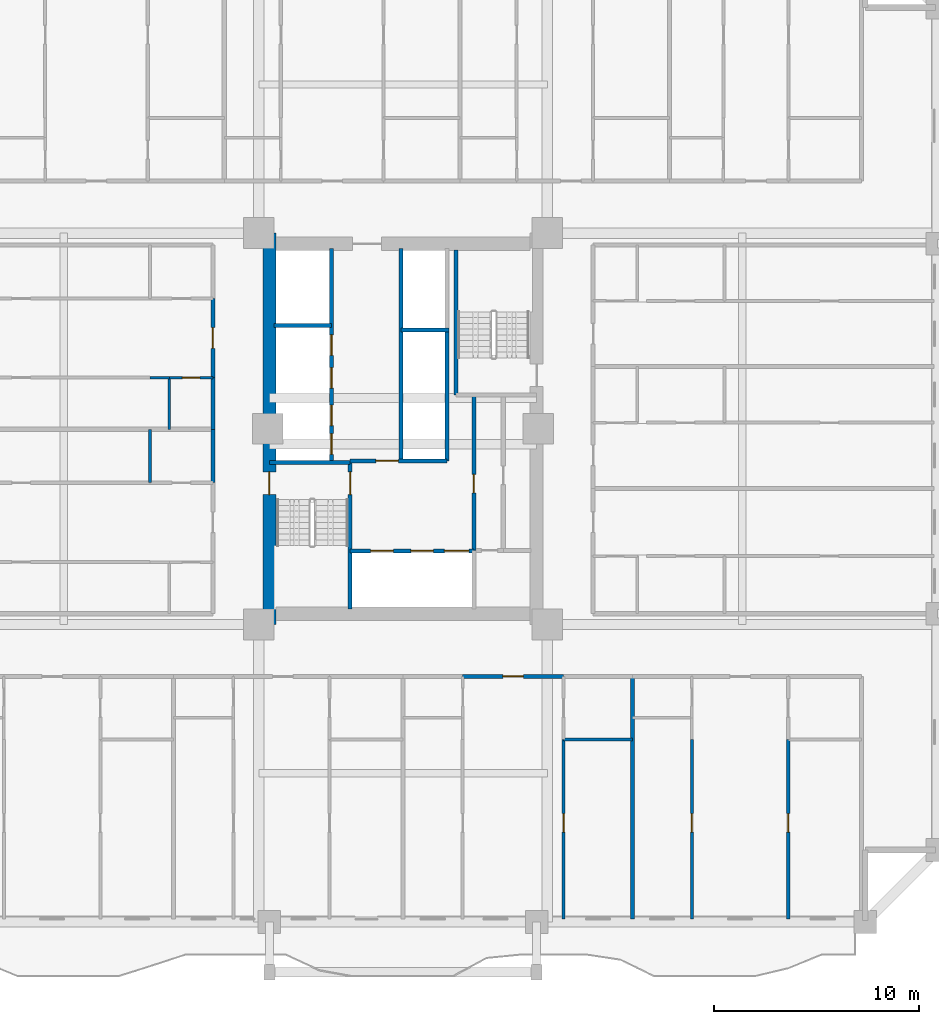
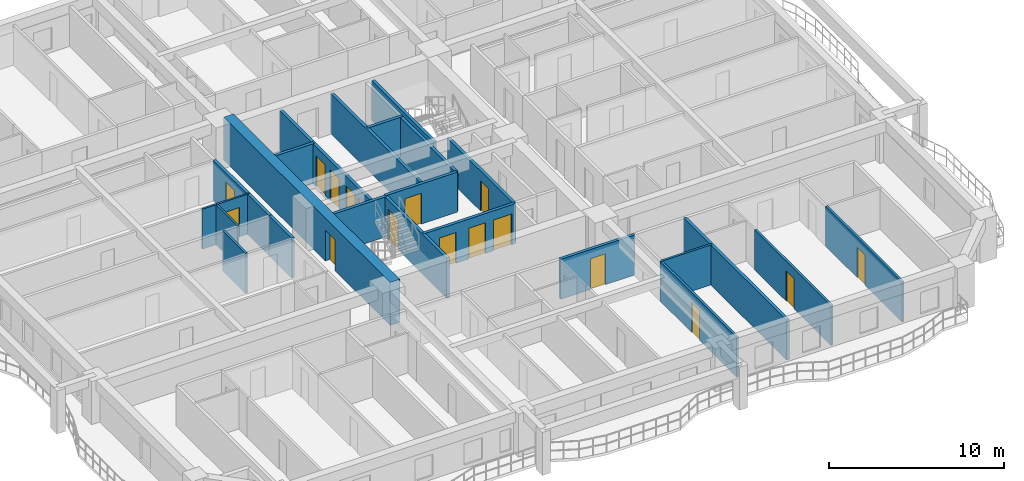
# One storey, part 4 of 16: 25 walls, 17 doors, 17 openings.
"""IFC4 building model written with IfcOpenShell, lengths in metres."""

import ifcopenshell
import ifcopenshell.guid

model = None  # the IFC model being written
_history = None  # IfcOwnerHistory: only IFC2X3 demands one
_inside = {}  # id of a spatial element -> (the spatial element, [elements in it])
_under = {}  # id of a project, library or spatial element -> (it, [spatial elements below it])
_declared = {}  # id of a project -> (the project, [libraries it declares])
_typed = {}  # id of a type object -> (the type object, [elements of that type])
_made_of = {}  # id of a material, layer set ... -> (it, [elements and type objects made of it])


def new_model(schema):
    """Start an empty IFC model of exactly this schema.

    Asked for "IFC4X3", IfcOpenShell would pick the latest addendum, in which some entities
    have other attributes; the version numbers below select the first issue.
    IFC2X3 requires an IfcOwnerHistory on every rooted entity: one is made here for all.
    """
    global model, _history
    if schema == "IFC4X3":
        model = ifcopenshell.file(schema_version=(4, 3, 0, 0))
    else:
        model = ifcopenshell.file(schema=schema)
    _inside.clear()
    _under.clear()
    _declared.clear()
    _typed.clear()
    _made_of.clear()
    _history = None
    if model.schema == "IFC2X3":
        org = make("IfcOrganization", Name="unknown")
        user = make(
            "IfcPersonAndOrganization",
            ThePerson=make("IfcPerson", FamilyName="unknown"),
            TheOrganization=org,
        )
        app = make(
            "IfcApplication",
            ApplicationDeveloper=org,
            Version="unknown",
            ApplicationFullName="unknown",
            ApplicationIdentifier="unknown",
        )
        _history = make(
            "IfcOwnerHistory",
            OwningUser=user,
            OwningApplication=app,
            ChangeAction="ADDED",
            CreationDate=0,
        )
    return model


def make(cls, **values):
    """One entity of the class cls with the attributes given. An attribute that is None is left unset."""
    return model.create_entity(
        cls, **{name: value for name, value in values.items() if value is not None}
    )


def rooted(cls, **values):
    """An entity with a GlobalId (a new one), such as an element, a storey or a relation."""
    return make(cls, GlobalId=ifcopenshell.guid.new(), OwnerHistory=_history, **values)


def si_unit(unit_type, name, prefix=None):
    """IfcSIUnit, for example si_unit("LENGTHUNIT", "METRE", prefix="MILLI")."""
    return make("IfcSIUnit", UnitType=unit_type, Prefix=prefix, Name=name)


def assignment(units):
    """IfcUnitAssignment: the units of a project."""
    return None if units is None else make("IfcUnitAssignment", Units=units)


def point(xyz):
    """IfcCartesianPoint."""
    return None if xyz is None else make("IfcCartesianPoint", Coordinates=xyz)


def direction(xyz):
    """IfcDirection."""
    return None if xyz is None else make("IfcDirection", DirectionRatios=xyz)


def frame(location, z_axis=None, x_axis=None):
    """IfcAxis2Placement3D, a coordinate frame: its origin and axes. An axis left out is left unset."""
    return make(
        "IfcAxis2Placement3D",
        Location=point(location),
        Axis=direction(z_axis),
        RefDirection=direction(x_axis),
    )


def frame_2d(location, x_axis=None):
    """IfcAxis2Placement2D, a coordinate frame in the plane: its origin and x axis."""
    return make(
        "IfcAxis2Placement2D", Location=point(location), RefDirection=direction(x_axis)
    )


def origin():
    """The frame at (0, 0, 0) with its axes left unset."""
    return frame((0.0, 0.0, 0.0))


def place(relative_to, where):
    """IfcLocalPlacement: puts the frame where relative to a parent placement (None: the world)."""
    return make(
        "IfcLocalPlacement", PlacementRelTo=relative_to, RelativePlacement=where
    )


def context(
    kind, dimensions, precision=None, world=None, true_north=None, identifier=None
):
    """IfcGeometricRepresentationContext, for example the 3D "Model" context."""
    return make(
        "IfcGeometricRepresentationContext",
        ContextIdentifier=identifier,
        ContextType=kind,
        CoordinateSpaceDimension=dimensions,
        Precision=precision,
        WorldCoordinateSystem=world,
        TrueNorth=true_north,
    )


def subcontext(parent, identifier, kind, view, scale=None):
    """IfcGeometricRepresentationSubContext, for example "Body" below "Model"."""
    return make(
        "IfcGeometricRepresentationSubContext",
        ContextIdentifier=identifier,
        ContextType=kind,
        ParentContext=parent,
        TargetScale=scale,
        TargetView=view,
    )


def project(units=None, contexts=None):
    """IfcProject with its units and contexts."""
    return rooted(
        "IfcProject",
        Name="project",
        RepresentationContexts=contexts,
        UnitsInContext=assignment(units),
    )


def spatial(cls, under=None, at=None, **own):
    """A site, building, storey or space (cls), placed at a placement, below another one or the project."""
    s = rooted(cls, ObjectPlacement=at, **own)
    if under is not None:
        _under.setdefault(under.id(), (under, []))[1].append(s)
    return s


def profile(cls, at=None, kind="AREA", **sizes):
    """A parametric profile (cls). Its sizes go by their IFC names, for example OverallWidth=200.0."""
    return make(cls, ProfileType=kind, Position=at, **sizes)


def rectangle(**sizes):
    """IfcRectangleProfileDef."""
    return profile("IfcRectangleProfileDef", **sizes)


def extrude(swept, where, along, depth):
    """IfcExtrudedAreaSolid: the profile swept, set in the frame where, extruded along a direction by depth."""
    return make(
        "IfcExtrudedAreaSolid",
        SweptArea=swept,
        Position=where,
        ExtrudedDirection=direction(along),
        Depth=depth,
    )


def shape(context_of_items, identifier, shape_type, items):
    """IfcShapeRepresentation: the items that make up one representation, for example the "Body"."""
    return make(
        "IfcShapeRepresentation",
        ContextOfItems=context_of_items,
        RepresentationIdentifier=identifier,
        RepresentationType=shape_type,
        Items=items,
    )


def source(mapping_origin, context_of_items, identifier, shape_type, items):
    """IfcRepresentationMap: a shape defined once, which mapped items show again and again."""
    return make(
        "IfcRepresentationMap",
        MappingOrigin=mapping_origin,
        MappedRepresentation=shape(context_of_items, identifier, shape_type, items),
    )


def transform(
    local_origin,
    x_axis=None,
    y_axis=None,
    z_axis=None,
    scale=None,
    scale2=None,
    scale3=None,
    uniform=True,
):
    """IfcCartesianTransformationOperator3D, or its non-uniform kind. x_axis, y_axis, z_axis: its Axis1, 2, 3."""
    if uniform:
        return make(
            "IfcCartesianTransformationOperator3D",
            Axis1=direction(x_axis),
            Axis2=direction(y_axis),
            LocalOrigin=point(local_origin),
            Scale=scale,
            Axis3=direction(z_axis),
        )
    return make(
        "IfcCartesianTransformationOperator3DnonUniform",
        Axis1=direction(x_axis),
        Axis2=direction(y_axis),
        LocalOrigin=point(local_origin),
        Scale=scale,
        Axis3=direction(z_axis),
        Scale2=scale2,
        Scale3=scale3,
    )


def mapped(mapping_source, mapping_target):
    """IfcMappedItem: shows the shape of a source again, moved by a transform."""
    return make(
        "IfcMappedItem", MappingSource=mapping_source, MappingTarget=mapping_target
    )


def material(Name=None, Category=None):
    """IfcMaterial."""
    return make("IfcMaterial", Name=Name, Category=Category)


def layer(
    of_material, thickness, ventilated=None, Name=None, Category=None, Priority=None
):
    """IfcMaterialLayer: one layer of a wall or slab, of a material (None: an air gap)."""
    return make(
        "IfcMaterialLayer",
        Material=of_material,
        LayerThickness=thickness,
        IsVentilated=ventilated,
        Name=Name,
        Category=Category,
        Priority=Priority,
    )


def layer_set(layers, Name=None):
    """IfcMaterialLayerSet."""
    return make("IfcMaterialLayerSet", MaterialLayers=layers, LayerSetName=Name)


def made_of(thing, what):
    """Note that an element or type object is made of a material, layer set ...; save() writes the relation."""
    if what is not None:
        _made_of.setdefault(what.id(), (what, []))[1].append(thing)
    return thing


def type_object(cls, material=None, **own):
    """A type object (cls), such as IfcWallType, which elements share."""
    return made_of(rooted(cls, **own), material)


def element(
    cls,
    number,
    at=None,
    inside=None,
    cuts=None,
    type_object=None,
    material=None,
    context=None,
    identifier="Body",
    shape_type=None,
    held_by="IfcProductDefinitionShape",
    body=None,
    shapes=None,
    **own,
):
    """One element of the class cls, such as IfcWall. Its Tag is "e" and its number.

    at: its placement. inside: the storey or other place that contains it. cuts: it is an
    opening in that element (IfcRelVoidsElement). A single representation is given by context,
    identifier, shape_type and body (its items); several are given by shapes. held_by: the class
    of the entity that holds the representations. save() writes the other relations.
    """
    e = rooted(cls, Tag="e%d" % number, ObjectPlacement=at, **own)
    if body is not None:
        shapes = [shape(context, identifier, shape_type, body)]
    if shapes is not None:
        e.Representation = make(held_by, Representations=shapes)
    if inside is not None:
        _inside.setdefault(inside.id(), (inside, []))[1].append(e)
    if cuts is not None:
        rooted(
            "IfcRelVoidsElement", RelatingBuildingElement=cuts, RelatedOpeningElement=e
        )
    if type_object is not None:
        _typed.setdefault(type_object.id(), (type_object, []))[1].append(e)
    return made_of(e, material)


def fill(opening, filler):
    """IfcRelFillsElement: the door or window that sits in an opening."""
    return rooted(
        "IfcRelFillsElement",
        RelatingOpeningElement=opening,
        RelatedBuildingElement=filler,
    )


def aggregate(whole, parts):
    """IfcRelAggregates: a whole, such as a stair, and the parts it consists of."""
    return rooted("IfcRelAggregates", RelatingObject=whole, RelatedObjects=parts)


def save(model, path):
    """Write the relations noted so far, then the file.

    IfcRelAggregates (storeys below a building ...), IfcRelContainedInSpatialStructure (elements
    in a storey), IfcRelDefinesByType, IfcRelAssociatesMaterial and IfcRelDeclares: one each for
    every whole, place, type object, material and project.
    """
    for whole, parts in _under.values():
        aggregate(whole, parts)
    for where, things in _inside.values():
        rooted(
            "IfcRelContainedInSpatialStructure",
            RelatedElements=things,
            RelatingStructure=where,
        )
    for kind, things in _typed.values():
        rooted("IfcRelDefinesByType", RelatedObjects=things, RelatingType=kind)
    for what, things in _made_of.values():
        rooted("IfcRelAssociatesMaterial", RelatedObjects=things, RelatingMaterial=what)
    for by, libraries in _declared.values():
        rooted("IfcRelDeclares", RelatingContext=by, RelatedDefinitions=libraries)
    model.write(path)


model = new_model("IFC4")

# Units and contexts
model_context = context("Model", 3, precision=1e-05, world=origin(), true_north=direction((0.0, 1.0)))
body_context = subcontext(model_context, "Body", "Model", "MODEL_VIEW")
ifc_project = project(units=[si_unit("LENGTHUNIT", "METRE"), si_unit("AREAUNIT", "SQUARE_METRE"), si_unit("VOLUMEUNIT", "CUBIC_METRE"), si_unit("PLANEANGLEUNIT", "RADIAN"), si_unit("MASSUNIT", "GRAM", prefix="KILO")], contexts=[model_context])

# Site, building, storey
site_placement = place(None, origin())
site = spatial("IfcSite", under=ifc_project, at=site_placement, CompositionType="ELEMENT")
building_placement = place(site_placement, origin())
building = spatial("IfcBuilding", under=site, at=building_placement, Name="Saelheon Loggia Tower", CompositionType="ELEMENT")
storey_placement = place(building_placement, frame((0.0, 0.0, 37.39990234375)))
storey = spatial("IfcBuildingStorey", under=building, at=storey_placement, Name="L11", CompositionType="ELEMENT", Elevation=37.39990234375)

# Wall, opening, door
ifc_material_1 = material(Name="Concrete C60/75", Category="concrete")
ifc_layer_1 = layer(ifc_material_1, 0.64990234375)
ifc_layer_set_1 = layer_set([ifc_layer_1], Name="Concrete C60/75")
wall_type_1 = type_object("IfcWallType", Name="Wall_CoreShear_650", PredefinedType="SHEAR", material=ifc_layer_set_1)
wall_1_placement = place(storey_placement, frame((31.5, 17.47998046875, 0.0), z_axis=(0.0, 0.0, 1.0), x_axis=(0.0, 1.0, 0.0)))
wall_1 = element("IfcWall", 1, at=wall_1_placement, inside=storey, type_object=wall_type_1, Name="L11 Core Shear Wall West", PredefinedType="SHEAR", context=body_context, shape_type="SweptSolid", body=[
    extrude(rectangle(XDim=19.0400390625, YDim=0.64990234375, at=frame_2d((9.52001953125, 0.0))), origin(), (0.0, 0.0, 1.0), 3.0),
])
opening_1_placement = place(wall_1_placement, frame((6.320068359375, 0.0, 0.0)))
opening_1 = element("IfcOpeningElement", 2, at=opening_1_placement, cuts=wall_1, Name="Opening D-FD2", PredefinedType="OPENING", context=body_context, shape_type="SweptSolid", body=[
    extrude(rectangle(XDim=1.10009765625, YDim=2.14990234375, at=frame_2d((0.550048828125, 1.074951171875))), frame((0.0, 0.3369140625, 0.0), z_axis=(0.0, -1.0, 0.0), x_axis=(1.0, 0.0, 0.0)), (0.0, 0.0, 1.0), 0.673828125),
])
ifc_material_2 = material(Name="Galvanised Steel Fire Door", Category="steel")
door_type_1 = type_object("IfcDoorType", Name="Door_Fire_FD60_1100", OperationType="NOTDEFINED", PredefinedType="DOOR", material=ifc_material_2)
shared_shape_1 = source(origin(), body_context, "Body", "SweptSolid", [
    extrude(rectangle(XDim=1.10009765625, YDim=2.14990234375, at=frame_2d((0.550048828125, 1.074951171875))), frame((0.0, 0.02490234375, 0.0), z_axis=(0.0, -1.0, 0.0), x_axis=(1.0, 0.0, 0.0)), (0.0, 0.0, 1.0), 0.050048828125),
])
door_1_placement = place(opening_1_placement, origin())
door_1 = element("IfcDoor", 3, at=door_1_placement, inside=storey, type_object=door_type_1, Name="L11 Stair ST1 Corridor Door", OperationType="SINGLE_SWING_LEFT", OverallHeight=2.14990234375, OverallWidth=1.10009765625, PredefinedType="DOOR", context=body_context, shape_type="MappedRepresentation", body=[
    mapped(shared_shape_1, transform((0.0, 0.0, 0.0), scale=1.0)),
])
fill(opening_1, door_1)

# Wall
ifc_material_3 = material(Name="Lightweight Autoclaved Aerated Concrete Block and Acoustic Gypsum", Category="concrete")
ifc_layer_2 = layer(ifc_material_3, 0.14990234375)
ifc_layer_set_2 = layer_set([ifc_layer_2], Name="Lightweight Autoclaved Aerated Concrete Block and Acoustic Gypsum")
wall_type_2 = type_object("IfcWallType", Name="Wall_Part_150", PredefinedType="PARTITIONING", material=ifc_layer_set_2)
wall_2_placement = place(storey_placement, frame((45.820068359375, 11.8798828125, 0.0), z_axis=(0.0, 0.0, 1.0), x_axis=(1.0, 0.0, 0.0)))
element("IfcWall", 4, at=wall_2_placement, inside=storey, type_object=wall_type_2, Name="L11 S Partition V29", PredefinedType="PARTITIONING", context=body_context, shape_type="SweptSolid", body=[
    extrude(rectangle(XDim=3.33984375, YDim=0.14990234375, at=frame_2d((1.669921875, 0.0))), origin(), (0.0, 0.0, 1.0), 2.7900390625),
])

# Wall, opening, door
wall_3_placement = place(storey_placement, frame((45.820068359375, 11.8798828125, 0.0), z_axis=(0.0, 0.0, 1.0), x_axis=(0.0, -1.0, 0.0)))
wall_3 = element("IfcWall", 5, at=wall_3_placement, inside=storey, type_object=wall_type_2, Name="L11 S Partition U34", PredefinedType="PARTITIONING", context=body_context, shape_type="SweptSolid", body=[
    extrude(rectangle(XDim=8.72998046875, YDim=0.14990234375, at=frame_2d((4.364990234375, 0.0))), origin(), (0.0, 0.0, 1.0), 2.7900390625),
])
opening_2_placement = place(wall_3_placement, frame((3.608642578125, 0.0, 0.0)))
opening_2 = element("IfcOpeningElement", 6, at=opening_2_placement, cuts=wall_3, Name="Opening D-IN2", PredefinedType="OPENING", context=body_context, shape_type="SweptSolid", body=[
    extrude(rectangle(XDim=0.89990234375, YDim=2.10009765625, at=frame_2d((0.449951171875, 1.050048828125))), frame((0.0, 0.0869140625, 0.0), z_axis=(0.0, -1.0, 0.0), x_axis=(1.0, 0.0, 0.0)), (0.0, 0.0, 1.0), 0.173828125),
])
ifc_material_4 = material(Name="Engineered Oak Flush Door", Category="timber")
door_type_2 = type_object("IfcDoorType", Name="Door_Int_900", OperationType="NOTDEFINED", PredefinedType="DOOR", material=ifc_material_4)
shared_shape_2 = source(origin(), body_context, "Body", "SweptSolid", [
    extrude(rectangle(XDim=0.89990234375, YDim=2.10009765625, at=frame_2d((0.449951171875, 1.050048828125))), frame((0.0, 0.02490234375, 0.0), z_axis=(0.0, -1.0, 0.0), x_axis=(1.0, 0.0, 0.0)), (0.0, 0.0, 1.0), 0.050048828125),
])
door_2_placement = place(opening_2_placement, origin())
door_2 = element("IfcDoor", 7, at=door_2_placement, inside=storey, type_object=door_type_2, Name="Unit U03 Bedroom 1 Door", OperationType="SINGLE_SWING_LEFT", OverallHeight=2.10009765625, OverallWidth=0.89990234375, PredefinedType="DOOR", context=body_context, shape_type="MappedRepresentation", body=[
    mapped(shared_shape_2, transform((0.0, 0.0, 0.0), scale=1.0)),
])
fill(opening_2, door_2)

wall_4_placement = place(storey_placement, frame((52.0615234375, 11.8798828125, 0.0), z_axis=(0.0, 0.0, 1.0), x_axis=(0.0, -1.0, 0.0)))
wall_4 = element("IfcWall", 8, at=wall_4_placement, inside=storey, type_object=wall_type_2, Name="L11 S Partition U43", PredefinedType="PARTITIONING", context=body_context, shape_type="SweptSolid", body=[
    extrude(rectangle(XDim=8.72998046875, YDim=0.14990234375, at=frame_2d((4.364990234375, 0.0))), origin(), (0.0, 0.0, 1.0), 2.7900390625),
])
opening_3_placement = place(wall_4_placement, frame((3.608642578125, 0.0, 0.0)))
opening_3 = element("IfcOpeningElement", 9, at=opening_3_placement, cuts=wall_4, Name="Opening D-IN2", PredefinedType="OPENING", context=body_context, shape_type="SweptSolid", body=[
    extrude(rectangle(XDim=0.89990234375, YDim=2.10009765625, at=frame_2d((0.449951171875, 1.050048828125))), frame((0.0, 0.0869140625, 0.0), z_axis=(0.0, -1.0, 0.0), x_axis=(1.0, 0.0, 0.0)), (0.0, 0.0, 1.0), 0.173828125),
])
door_3_placement = place(opening_3_placement, origin())
door_3 = element("IfcDoor", 10, at=door_3_placement, inside=storey, type_object=door_type_2, Name="Unit U04 Bedroom 2 Door", OperationType="SINGLE_SWING_RIGHT", OverallHeight=2.10009765625, OverallWidth=0.89990234375, PredefinedType="DOOR", context=body_context, shape_type="MappedRepresentation", body=[
    mapped(shared_shape_2, transform((0.0, 0.0, 0.0), scale=1.0)),
])
fill(opening_3, door_3)

wall_5_placement = place(storey_placement, frame((56.748779296875, 11.8798828125, 0.0), z_axis=(0.0, 0.0, 1.0), x_axis=(0.0, -1.0, 0.0)))
wall_5 = element("IfcWall", 11, at=wall_5_placement, inside=storey, type_object=wall_type_2, Name="L11 S Partition U45", PredefinedType="PARTITIONING", context=body_context, shape_type="SweptSolid", body=[
    extrude(rectangle(XDim=8.72998046875, YDim=0.14990234375, at=frame_2d((4.364990234375, 0.0))), origin(), (0.0, 0.0, 1.0), 2.7900390625),
])
opening_4_placement = place(wall_5_placement, frame((3.608642578125, 0.0, 0.0)))
opening_4 = element("IfcOpeningElement", 12, at=opening_4_placement, cuts=wall_5, Name="Opening D-IN2", PredefinedType="OPENING", context=body_context, shape_type="SweptSolid", body=[
    extrude(rectangle(XDim=0.89990234375, YDim=2.10009765625, at=frame_2d((0.449951171875, 1.050048828125))), frame((0.0, 0.0869140625, 0.0), z_axis=(0.0, -1.0, 0.0), x_axis=(1.0, 0.0, 0.0)), (0.0, 0.0, 1.0), 0.173828125),
])
door_4_placement = place(opening_4_placement, origin())
door_4 = element("IfcDoor", 13, at=door_4_placement, inside=storey, type_object=door_type_2, Name="Unit U04 Bedroom 1 Door", OperationType="SINGLE_SWING_RIGHT", OverallHeight=2.10009765625, OverallWidth=0.89990234375, PredefinedType="DOOR", context=body_context, shape_type="MappedRepresentation", body=[
    mapped(shared_shape_2, transform((0.0, 0.0, 0.0), scale=1.0)),
])
fill(opening_4, door_4)

# Wall
wall_6_placement = place(storey_placement, frame((25.679931640625, 24.375, 0.0), z_axis=(0.0, 0.0, 1.0), x_axis=(0.0, 1.0, 0.0)))
element("IfcWall", 14, at=wall_6_placement, inside=storey, type_object=wall_type_2, Name="L11 W Partition V07", PredefinedType="PARTITIONING", context=body_context, shape_type="SweptSolid", body=[
    extrude(rectangle(XDim=2.60009765625, YDim=0.14990234375, at=frame_2d((1.300048828125, 0.0))), origin(), (0.0, 0.0, 1.0), 2.7900390625),
])

# Wall, opening, door
ifc_material_5 = material(Name="Double Acoustic Stud and Fireboard Partition", Category="gypsum")
ifc_layer_3 = layer(ifc_material_5, 0.199951171875)
ifc_layer_set_3 = layer_set([ifc_layer_3], Name="Double Acoustic Stud and Fireboard Partition")
wall_type_3 = type_object("IfcWallType", Name="Wall_Party_200", PredefinedType="PARTITIONING", material=ifc_layer_set_3)
wall_7_placement = place(storey_placement, frame((40.901611328125, 14.949951171875, 0.0), z_axis=(0.0, 0.0, 1.0), x_axis=(1.0, 0.0, 0.0)))
wall_7 = element("IfcWall", 15, at=wall_7_placement, inside=storey, type_object=wall_type_3, Name="L11 S Partition V26", PredefinedType="PARTITIONING", context=body_context, shape_type="SweptSolid", body=[
    extrude(rectangle(XDim=4.91845703125, YDim=0.199951171875, at=frame_2d((2.459228515625, 0.0))), origin(), (0.0, 0.0, 1.0), 2.7900390625),
])
opening_5_placement = place(wall_7_placement, frame((1.959228515625, 0.0, 0.0)))
opening_5 = element("IfcOpeningElement", 16, at=opening_5_placement, cuts=wall_7, Name="Opening D-FD1", PredefinedType="OPENING", context=body_context, shape_type="SweptSolid", body=[
    extrude(rectangle(XDim=1.0, YDim=2.14990234375, at=frame_2d((0.5, 1.074951171875))), frame((0.0, 0.112060546875, 0.0), z_axis=(0.0, -1.0, 0.0), x_axis=(1.0, 0.0, 0.0)), (0.0, 0.0, 1.0), 0.223876953125),
])
ifc_material_6 = material(Name="Fire-Rated Engineered Timber Entrance Door", Category="wood")
door_type_3 = type_object("IfcDoorType", Name="Door_Flat_FD30S", OperationType="NOTDEFINED", PredefinedType="DOOR", material=ifc_material_6)
shared_shape_3 = source(origin(), body_context, "Body", "SweptSolid", [
    extrude(rectangle(XDim=1.0, YDim=2.14990234375, at=frame_2d((0.5, 1.074951171875))), frame((0.0, 0.02490234375, 0.0), z_axis=(0.0, -1.0, 0.0), x_axis=(1.0, 0.0, 0.0)), (0.0, 0.0, 1.0), 0.050048828125),
])
door_5_placement = place(opening_5_placement, origin())
door_5 = element("IfcDoor", 17, at=door_5_placement, inside=storey, type_object=door_type_3, Name="Unit U03 Entrance Door", OperationType="SINGLE_SWING_LEFT", OverallHeight=2.14990234375, OverallWidth=1.0, PredefinedType="DOOR", context=body_context, shape_type="MappedRepresentation", body=[
    mapped(shared_shape_3, transform((0.0, 0.0, 0.0), scale=1.0)),
])
fill(opening_5, door_5)

# Walls
wall_8_placement = place(storey_placement, frame((49.159912109375, 14.949951171875, 0.0), z_axis=(0.0, 0.0, 1.0), x_axis=(0.0, -1.0, 0.0)))
element("IfcWall", 18, at=wall_8_placement, inside=storey, type_object=wall_type_3, Name="L11 S Partition U35", PredefinedType="PARTITIONING", context=body_context, shape_type="SweptSolid", body=[
    extrude(rectangle(XDim=11.800048828125, YDim=0.199951171875, at=frame_2d((5.89990234375, 0.0))), origin(), (0.0, 0.0, 1.0), 2.7900390625),
])
wall_9_placement = place(storey_placement, frame((28.75, 24.375, 0.0), z_axis=(0.0, 0.0, 1.0), x_axis=(0.0, 1.0, 0.0)))
element("IfcWall", 19, at=wall_9_placement, inside=storey, type_object=wall_type_3, Name="L11 W Partition V05", PredefinedType="PARTITIONING", context=body_context, shape_type="SweptSolid", body=[
    extrude(rectangle(XDim=2.60009765625, YDim=0.199951171875, at=frame_2d((1.300048828125, 0.0))), origin(), (0.0, 0.0, 1.0), 2.7900390625),
])
wall_10_placement = place(storey_placement, frame((28.75, 26.97509765625, 0.0), z_axis=(0.0, 0.0, 1.0), x_axis=(0.0, 1.0, 0.0)))
element("IfcWall", 20, at=wall_10_placement, inside=storey, type_object=wall_type_3, Name="L11 W Partition V14", PredefinedType="PARTITIONING", context=body_context, shape_type="SweptSolid", body=[
    extrude(rectangle(XDim=2.512939453125, YDim=0.199951171875, at=frame_2d((1.25634765625, 0.0))), origin(), (0.0, 0.0, 1.0), 2.7900390625),
])

# Wall, opening, door
wall_11_placement = place(storey_placement, frame((28.75, 29.488037109375, 0.0), z_axis=(0.0, 0.0, 1.0), x_axis=(0.0, 1.0, 0.0)))
wall_11 = element("IfcWall", 21, at=wall_11_placement, inside=storey, type_object=wall_type_3, Name="L11 W Partition V15", PredefinedType="PARTITIONING", context=body_context, shape_type="SweptSolid", body=[
    extrude(rectangle(XDim=3.862060546875, YDim=0.199951171875, at=frame_2d((1.93115234375, 0.0))), origin(), (0.0, 0.0, 1.0), 2.7900390625),
])
opening_6_placement = place(wall_11_placement, frame((1.430908203125, 0.0, 0.0)))
opening_6 = element("IfcOpeningElement", 22, at=opening_6_placement, cuts=wall_11, Name="Opening D-FD1", PredefinedType="OPENING", context=body_context, shape_type="SweptSolid", body=[
    extrude(rectangle(XDim=1.0, YDim=2.14990234375, at=frame_2d((0.5, 1.074951171875))), frame((0.0, 0.112060546875, 0.0), z_axis=(0.0, -1.0, 0.0), x_axis=(1.0, 0.0, 0.0)), (0.0, 0.0, 1.0), 0.223876953125),
])
door_6_placement = place(opening_6_placement, origin())
door_6 = element("IfcDoor", 23, at=door_6_placement, inside=storey, type_object=door_type_3, Name="Unit U10 Entrance Door", OperationType="SINGLE_SWING_LEFT", OverallHeight=2.14990234375, OverallWidth=1.0, PredefinedType="DOOR", context=body_context, shape_type="MappedRepresentation", body=[
    mapped(shared_shape_3, transform((0.0, 0.0, 0.0), scale=1.0)),
])
fill(opening_6, door_6)

ifc_material_7 = material(Name="Concrete C40/50", Category="concrete")
ifc_layer_4 = layer(ifc_material_7, 0.199951171875)
ifc_layer_set_4 = layer_set([ifc_layer_4], Name="Concrete C40/50")
wall_type_4 = type_object("IfcWallType", Name="Wall_Shaft_200", PredefinedType="PARTITIONING", material=ifc_layer_set_4)
wall_12_placement = place(storey_placement, frame((41.449951171875, 21.080078125, 0.0), z_axis=(0.0, 0.0, 1.0), x_axis=(0.0, 1.0, 0.0)))
wall_12 = element("IfcWall", 24, at=wall_12_placement, inside=storey, type_object=wall_type_4, Name="CW-INT-L11-BOH-W1", PredefinedType="PARTITIONING", context=body_context, shape_type="SweptSolid", body=[
    extrude(rectangle(XDim=7.52001953125, YDim=0.199951171875, at=frame_2d((3.760009765625, 0.0))), origin(), (0.0, 0.0, 1.0), 2.7900390625),
])
opening_7_placement = place(wall_12_placement, frame((2.800048828125, 0.0, 0.0)))
opening_7 = element("IfcOpeningElement", 25, at=opening_7_placement, cuts=wall_12, Name="Opening D-RS1", PredefinedType="OPENING", context=body_context, shape_type="SweptSolid", body=[
    extrude(rectangle(XDim=0.89990234375, YDim=2.10009765625, at=frame_2d((0.449951171875, 1.050048828125))), frame((0.0, 0.112060546875, 0.0), z_axis=(0.0, -1.0, 0.0), x_axis=(1.0, 0.0, 0.0)), (0.0, 0.0, 1.0), 0.223876953125),
])
ifc_material_8 = material(Name="Galvanised Steel Riser Access Door", Category="steel")
door_type_4 = type_object("IfcDoorType", Name="Door_Riser_FD60", OperationType="NOTDEFINED", PredefinedType="DOOR", material=ifc_material_8)
door_7_placement = place(opening_7_placement, origin())
door_7 = element("IfcDoor", 26, at=door_7_placement, inside=storey, type_object=door_type_4, Name="L11 Service Store Door", OperationType="SINGLE_SWING_RIGHT", OverallHeight=2.10009765625, OverallWidth=0.89990234375, PredefinedType="DOOR", context=body_context, shape_type="MappedRepresentation", body=[
    mapped(shared_shape_2, transform((0.0, 0.0, 0.0), scale=1.0)),
])
fill(opening_7, door_7)

# Wall
wall_13_placement = place(storey_placement, frame((40.14990234375, 25.43994140625, 0.0), z_axis=(0.0, 0.0, 1.0), x_axis=(0.0, 1.0, 0.0)))
element("IfcWall", 27, at=wall_13_placement, inside=storey, type_object=wall_type_4, Name="L11 Core Service Passage West Wall", PredefinedType="PARTITIONING", context=body_context, shape_type="SweptSolid", body=[
    extrude(rectangle(XDim=6.360107421875, YDim=0.199951171875, at=frame_2d((3.18017578125, 0.0))), origin(), (0.0, 0.0, 1.0), 2.7900390625),
])

# Wall, openings, doors
wall_14_placement = place(storey_placement, frame((35.429931640625, 21.06005859375, 0.0), z_axis=(0.0, 0.0, 1.0), x_axis=(1.0, 0.0, 0.0)))
wall_14 = element("IfcWall", 28, at=wall_14_placement, inside=storey, type_object=wall_type_4, Name="L11 Firefighting Lift Shaft Front Wall", PredefinedType="PARTITIONING", context=body_context, shape_type="SweptSolid", body=[
    extrude(rectangle(XDim=6.02001953125, YDim=0.199951171875, at=frame_2d((3.010009765625, 0.0))), origin(), (0.0, 0.0, 1.0), 2.7900390625),
])
opening_8_placement = place(wall_14_placement, frame((1.0, 0.0, 0.0)))
opening_8 = element("IfcOpeningElement", 29, at=opening_8_placement, cuts=wall_14, Name="Opening LD2", PredefinedType="OPENING", context=body_context, shape_type="SweptSolid", body=[
    extrude(rectangle(XDim=1.10009765625, YDim=2.14990234375, at=frame_2d((0.550048828125, 1.074951171875))), frame((0.0, 0.112060546875, 0.0), z_axis=(0.0, -1.0, 0.0), x_axis=(1.0, 0.0, 0.0)), (0.0, 0.0, 1.0), 0.223876953125),
])
opening_9_placement = place(wall_14_placement, frame((2.949951171875, 0.0, 0.0)))
opening_9 = element("IfcOpeningElement", 30, at=opening_9_placement, cuts=wall_14, Name="Opening LD2", PredefinedType="OPENING", context=body_context, shape_type="SweptSolid", body=[
    extrude(rectangle(XDim=1.10009765625, YDim=2.14990234375, at=frame_2d((0.550048828125, 1.074951171875))), frame((0.0, 0.112060546875, 0.0), z_axis=(0.0, -1.0, 0.0), x_axis=(1.0, 0.0, 0.0)), (0.0, 0.0, 1.0), 0.223876953125),
])
opening_10_placement = place(wall_14_placement, frame((4.580078125, 0.0, 0.0)))
opening_10 = element("IfcOpeningElement", 31, at=opening_10_placement, cuts=wall_14, Name="Opening LD3", PredefinedType="OPENING", context=body_context, shape_type="SweptSolid", body=[
    extrude(rectangle(XDim=1.199951171875, YDim=2.14990234375, at=frame_2d((0.60009765625, 1.074951171875))), frame((0.0, 0.112060546875, 0.0), z_axis=(0.0, -1.0, 0.0), x_axis=(1.0, 0.0, 0.0)), (0.0, 0.0, 1.0), 0.223876953125),
])
ifc_material_9 = material(Name="Firefighting Stainless Steel 316 Landing Door", Category="steel")
door_type_5 = type_object("IfcDoorType", Name="Door_Lift_LD2", OperationType="DOUBLE_DOOR_SLIDING", PredefinedType="DOOR", material=ifc_material_9)
door_8_placement = place(opening_8_placement, origin())
door_8 = element("IfcDoor", 32, at=door_8_placement, inside=storey, type_object=door_type_5, Name="L11 FF1 Landing Door", OperationType="DOUBLE_DOOR_SLIDING", OverallHeight=2.14990234375, OverallWidth=1.10009765625, PredefinedType="DOOR", context=body_context, shape_type="MappedRepresentation", body=[
    mapped(shared_shape_1, transform((0.0, 0.0, 0.0), scale=1.0)),
])
fill(opening_8, door_8)
door_9_placement = place(opening_9_placement, origin())
door_9 = element("IfcDoor", 33, at=door_9_placement, inside=storey, type_object=door_type_5, Name="L11 FF2 Landing Door", OperationType="DOUBLE_DOOR_SLIDING", OverallHeight=2.14990234375, OverallWidth=1.10009765625, PredefinedType="DOOR", context=body_context, shape_type="MappedRepresentation", body=[
    mapped(shared_shape_1, transform((0.0, 0.0, 0.0), scale=1.0)),
])
fill(opening_9, door_9)
ifc_material_10 = material(Name="Stretcher Lift Stainless Steel 304 Landing Door", Category="steel")
door_type_6 = type_object("IfcDoorType", Name="Door_Lift_LD3", OperationType="DOUBLE_DOOR_SLIDING", PredefinedType="DOOR", material=ifc_material_10)
shared_shape_4 = source(origin(), body_context, "Body", "SweptSolid", [
    extrude(rectangle(XDim=1.199951171875, YDim=2.14990234375, at=frame_2d((0.60009765625, 1.074951171875))), frame((0.0, 0.02490234375, 0.0), z_axis=(0.0, -1.0, 0.0), x_axis=(1.0, 0.0, 0.0)), (0.0, 0.0, 1.0), 0.050048828125),
])
door_10_placement = place(opening_10_placement, origin())
door_10 = element("IfcDoor", 34, at=door_10_placement, inside=storey, type_object=door_type_6, Name="L11 SV1 Landing Door", OperationType="DOUBLE_DOOR_SLIDING", OverallHeight=2.14990234375, OverallWidth=1.199951171875, PredefinedType="DOOR", context=body_context, shape_type="MappedRepresentation", body=[
    mapped(shared_shape_4, transform((0.0, 0.0, 0.0), scale=1.0)),
])
fill(opening_10, door_10)

# Wall, opening, door
wall_15_placement = place(storey_placement, frame((35.429931640625, 25.43994140625, 0.0), z_axis=(0.0, 0.0, 1.0), x_axis=(1.0, 0.0, 0.0)))
wall_15 = element("IfcWall", 35, at=wall_15_placement, inside=storey, type_object=wall_type_4, Name="L11 Firefighting Lobby Compartment Wall", PredefinedType="PARTITIONING", context=body_context, shape_type="SweptSolid", body=[
    extrude(rectangle(XDim=4.719970703125, YDim=0.199951171875, at=frame_2d((2.35986328125, 0.0))), origin(), (0.0, 0.0, 1.0), 2.7900390625),
])
opening_11_placement = place(wall_15_placement, frame((1.25, 0.0, 0.0)))
opening_11 = element("IfcOpeningElement", 36, at=opening_11_placement, cuts=wall_15, Name="Opening D-FD2", PredefinedType="OPENING", context=body_context, shape_type="SweptSolid", body=[
    extrude(rectangle(XDim=1.10009765625, YDim=2.14990234375, at=frame_2d((0.550048828125, 1.074951171875))), frame((0.0, 0.112060546875, 0.0), z_axis=(0.0, -1.0, 0.0), x_axis=(1.0, 0.0, 0.0)), (0.0, 0.0, 1.0), 0.223876953125),
])
door_11_placement = place(opening_11_placement, origin())
door_11 = element("IfcDoor", 37, at=door_11_placement, inside=storey, type_object=door_type_1, Name="L11 Firefighting Lobby Door", OperationType="SINGLE_SWING_LEFT", OverallHeight=2.14990234375, OverallWidth=1.10009765625, PredefinedType="DOOR", context=body_context, shape_type="MappedRepresentation", body=[
    mapped(shared_shape_1, transform((0.0, 0.0, 0.0), scale=1.0)),
])
fill(opening_11, door_11)

# Wall, openings, doors
wall_16_placement = place(storey_placement, frame((34.52001953125, 25.43994140625, 0.0), z_axis=(0.0, 0.0, 1.0), x_axis=(0.0, 1.0, 0.0)))
wall_16 = element("IfcWall", 38, at=wall_16_placement, inside=storey, type_object=wall_type_4, Name="L11 West Passenger Lift Bank Wall", PredefinedType="PARTITIONING", context=body_context, shape_type="SweptSolid", body=[
    extrude(rectangle(XDim=10.340087890625, YDim=0.199951171875, at=frame_2d((5.169921875, 0.0))), origin(), (0.0, 0.0, 1.0), 2.7900390625),
])
opening_12_placement = place(wall_16_placement, frame((0.320068359375, 0.0, 0.0)))
opening_12 = element("IfcOpeningElement", 39, at=opening_12_placement, cuts=wall_16, Name="Opening LD1", PredefinedType="OPENING", context=body_context, shape_type="SweptSolid", body=[
    extrude(rectangle(XDim=1.0, YDim=2.14990234375, at=frame_2d((0.5, 1.074951171875))), frame((0.0, 0.112060546875, 0.0), z_axis=(0.0, -1.0, 0.0), x_axis=(1.0, 0.0, 0.0)), (0.0, 0.0, 1.0), 0.223876953125),
])
opening_13_placement = place(wall_16_placement, frame((1.7099609375, 0.0, 0.0)))
opening_13 = element("IfcOpeningElement", 40, at=opening_13_placement, cuts=wall_16, Name="Opening LD1", PredefinedType="OPENING", context=body_context, shape_type="SweptSolid", body=[
    extrude(rectangle(XDim=1.0, YDim=2.14990234375, at=frame_2d((0.5, 1.074951171875))), frame((0.0, 0.112060546875, 0.0), z_axis=(0.0, -1.0, 0.0), x_axis=(1.0, 0.0, 0.0)), (0.0, 0.0, 1.0), 0.223876953125),
])
opening_14_placement = place(wall_16_placement, frame((3.534912109375, 0.0, 0.0)))
opening_14 = element("IfcOpeningElement", 41, at=opening_14_placement, cuts=wall_16, Name="Opening LD1", PredefinedType="OPENING", context=body_context, shape_type="SweptSolid", body=[
    extrude(rectangle(XDim=1.0, YDim=2.14990234375, at=frame_2d((0.5, 1.074951171875))), frame((0.0, 0.112060546875, 0.0), z_axis=(0.0, -1.0, 0.0), x_axis=(1.0, 0.0, 0.0)), (0.0, 0.0, 1.0), 0.223876953125),
])
opening_15_placement = place(wall_16_placement, frame((5.135009765625, 0.0, 0.0)))
opening_15 = element("IfcOpeningElement", 42, at=opening_15_placement, cuts=wall_16, Name="Opening LD1", PredefinedType="OPENING", context=body_context, shape_type="SweptSolid", body=[
    extrude(rectangle(XDim=1.0, YDim=2.14990234375, at=frame_2d((0.5, 1.074951171875))), frame((0.0, 0.112060546875, 0.0), z_axis=(0.0, -1.0, 0.0), x_axis=(1.0, 0.0, 0.0)), (0.0, 0.0, 1.0), 0.223876953125),
])
ifc_material_11 = material(Name="Brushed Stainless Steel 304 Landing Door", Category="steel")
door_type_7 = type_object("IfcDoorType", Name="Door_Lift_LD1", OperationType="DOUBLE_DOOR_SLIDING", PredefinedType="DOOR", material=ifc_material_11)
door_12_placement = place(opening_12_placement, origin())
door_12 = element("IfcDoor", 43, at=door_12_placement, inside=storey, type_object=door_type_7, Name="L11 PL1 Landing Door", OperationType="DOUBLE_DOOR_SLIDING", OverallHeight=2.14990234375, OverallWidth=1.0, PredefinedType="DOOR", context=body_context, shape_type="MappedRepresentation", body=[
    mapped(shared_shape_3, transform((0.0, 0.0, 0.0), scale=1.0)),
])
fill(opening_12, door_12)
door_13_placement = place(opening_13_placement, origin())
door_13 = element("IfcDoor", 44, at=door_13_placement, inside=storey, type_object=door_type_7, Name="L11 PL2 Landing Door", OperationType="DOUBLE_DOOR_SLIDING", OverallHeight=2.14990234375, OverallWidth=1.0, PredefinedType="DOOR", context=body_context, shape_type="MappedRepresentation", body=[
    mapped(shared_shape_3, transform((0.0, 0.0, 0.0), scale=1.0)),
])
fill(opening_13, door_13)
door_14_placement = place(opening_14_placement, origin())
door_14 = element("IfcDoor", 45, at=door_14_placement, inside=storey, type_object=door_type_7, Name="L11 PL3 Landing Door", OperationType="DOUBLE_DOOR_SLIDING", OverallHeight=2.14990234375, OverallWidth=1.0, PredefinedType="DOOR", context=body_context, shape_type="MappedRepresentation", body=[
    mapped(shared_shape_3, transform((0.0, 0.0, 0.0), scale=1.0)),
])
fill(opening_14, door_14)
door_15_placement = place(opening_15_placement, origin())
door_15 = element("IfcDoor", 46, at=door_15_placement, inside=storey, type_object=door_type_7, Name="L11 PL4 Landing Door", OperationType="DOUBLE_DOOR_SLIDING", OverallHeight=2.14990234375, OverallWidth=1.0, PredefinedType="DOOR", context=body_context, shape_type="MappedRepresentation", body=[
    mapped(shared_shape_3, transform((0.0, 0.0, 0.0), scale=1.0)),
])
fill(opening_15, door_15)

# Walls
wall_17_placement = place(storey_placement, frame((31.719970703125, 32.02001953125, 0.0), z_axis=(0.0, 0.0, 1.0), x_axis=(1.0, 0.0, 0.0)))
element("IfcWall", 47, at=wall_17_placement, inside=storey, type_object=wall_type_4, Name="L11 West High-Rise Shaft Divider", PredefinedType="PARTITIONING", context=body_context, shape_type="SweptSolid", body=[
    extrude(rectangle(XDim=2.800048828125, YDim=0.199951171875, at=frame_2d((1.39990234375, 0.0))), origin(), (0.0, 0.0, 1.0), 2.7900390625),
])
wall_18_placement = place(storey_placement, frame((37.89990234375, 25.43994140625, 0.0), z_axis=(0.0, 0.0, 1.0), x_axis=(0.0, 1.0, 0.0)))
element("IfcWall", 48, at=wall_18_placement, inside=storey, type_object=wall_type_4, Name="L11 East Passenger Lift Bank Wall", PredefinedType="PARTITIONING", context=body_context, shape_type="SweptSolid", body=[
    extrude(rectangle(XDim=10.340087890625, YDim=0.199951171875, at=frame_2d((5.169921875, 0.0))), origin(), (0.0, 0.0, 1.0), 2.7900390625),
])
wall_19_placement = place(storey_placement, frame((37.89990234375, 31.800048828125, 0.0), z_axis=(0.0, 0.0, 1.0), x_axis=(1.0, 0.0, 0.0)))
element("IfcWall", 49, at=wall_19_placement, inside=storey, type_object=wall_type_4, Name="L11 East High-Rise Shaft Divider", PredefinedType="PARTITIONING", context=body_context, shape_type="SweptSolid", body=[
    extrude(rectangle(XDim=2.35009765625, YDim=0.199951171875, at=frame_2d((1.175048828125, 0.0))), origin(), (0.0, 0.0, 1.0), 2.7900390625),
])

# Wall, opening, door
ifc_material_12 = material(Name="Concrete C45/55", Category="concrete")
ifc_layer_5 = layer(ifc_material_12, 0.199951171875)
ifc_layer_set_5 = layer_set([ifc_layer_5], Name="Concrete C45/55")
wall_type_5 = type_object("IfcWallType", Name="Wall_StairShaft_RC200", PredefinedType="SOLIDWALL", material=ifc_layer_set_5)
wall_20_placement = place(storey_placement, frame((35.429931640625, 18.219970703125, 0.0), z_axis=(0.0, 0.0, 1.0), x_axis=(0.0, 1.0, 0.0)))
wall_20 = element("IfcWall", 50, at=wall_20_placement, inside=storey, type_object=wall_type_5, Name="L11 Stair ST1 Shaft Wall", PredefinedType="SOLIDWALL", context=body_context, shape_type="SweptSolid", body=[
    extrude(rectangle(XDim=7.219970703125, YDim=0.199951171875, at=frame_2d((3.60986328125, 0.0))), origin(), (0.0, 0.0, 1.0), 2.7900390625),
])
opening_16_placement = place(wall_20_placement, frame((6.68017578125, 0.0, 0.0), z_axis=(0.0, 0.0, 1.0), x_axis=(-1.0, 0.0, 0.0)))
opening_16 = element("IfcOpeningElement", 51, at=opening_16_placement, cuts=wall_20, Name="Opening D-FD2", PredefinedType="OPENING", context=body_context, shape_type="SweptSolid", body=[
    extrude(rectangle(XDim=1.10009765625, YDim=2.14990234375, at=frame_2d((0.550048828125, 1.074951171875))), frame((0.0, 0.112060546875, 0.0), z_axis=(0.0, -1.0, 0.0), x_axis=(1.0, 0.0, 0.0)), (0.0, 0.0, 1.0), 0.223876953125),
])
door_16_placement = place(opening_16_placement, origin())
door_16 = element("IfcDoor", 52, at=door_16_placement, inside=storey, type_object=door_type_1, Name="L11 Stair ST1 Lobby Door", OperationType="SINGLE_SWING_RIGHT", OverallHeight=2.14990234375, OverallWidth=1.10009765625, PredefinedType="DOOR", context=body_context, shape_type="MappedRepresentation", body=[
    mapped(shared_shape_1, transform((0.0, 0.0, 0.0), scale=1.0)),
])
fill(opening_16, door_16)

# Walls
wall_21_placement = place(storey_placement, frame((31.5, 25.35009765625, 0.0), z_axis=(0.0, 0.0, 1.0), x_axis=(1.0, 0.0, 0.0)))
element("IfcWall", 53, at=wall_21_placement, inside=storey, type_object=wall_type_5, Name="L11 Stair ST1 North Wall", PredefinedType="SOLIDWALL", context=body_context, shape_type="SweptSolid", body=[
    extrude(rectangle(XDim=3.929931640625, YDim=0.199951171875, at=frame_2d((1.96484375, 0.0))), origin(), (0.0, 0.0, 1.0), 2.7900390625),
])
wall_22_placement = place(storey_placement, frame((40.570068359375, 28.64990234375, 0.0), z_axis=(0.0, 0.0, 1.0), x_axis=(0.0, 1.0, 0.0)))
element("IfcWall", 54, at=wall_22_placement, inside=storey, type_object=wall_type_5, Name="L11 Stair ST2 Shaft Wall", PredefinedType="SOLIDWALL", context=body_context, shape_type="SweptSolid", body=[
    extrude(rectangle(XDim=7.050048828125, YDim=0.199951171875, at=frame_2d((3.52490234375, 0.0))), origin(), (0.0, 0.0, 1.0), 2.7900390625),
])
ifc_material_13 = material(Name="Moisture-Resistant Cement Board Partition", Category="gypsum")
ifc_layer_6 = layer(ifc_material_13, 0.1201171875)
ifc_layer_set_6 = layer_set([ifc_layer_6], Name="Moisture-Resistant Cement Board Partition")
wall_type_6 = type_object("IfcWallType", Name="Wall_WetPart_120", PredefinedType="PARTITIONING", material=ifc_layer_set_6)
wall_23_placement = place(storey_placement, frame((26.6298828125, 26.97509765625, 0.0), z_axis=(0.0, 0.0, 1.0), x_axis=(0.0, 1.0, 0.0)))
element("IfcWall", 55, at=wall_23_placement, inside=storey, type_object=wall_type_6, Name="L11 W Partition V17", PredefinedType="PARTITIONING", context=body_context, shape_type="SweptSolid", body=[
    extrude(rectangle(XDim=2.512939453125, YDim=0.1201171875, at=frame_2d((1.25634765625, 0.0))), origin(), (0.0, 0.0, 1.0), 2.7900390625),
])

# Wall, opening, door
wall_24_placement = place(storey_placement, frame((28.75, 29.488037109375, 0.0), z_axis=(0.0, 0.0, 1.0), x_axis=(-1.0, 0.0, 0.0)))
wall_24 = element("IfcWall", 56, at=wall_24_placement, inside=storey, type_object=wall_type_6, Name="L11 W Partition U19", PredefinedType="PARTITIONING", context=body_context, shape_type="SweptSolid", body=[
    extrude(rectangle(XDim=2.1201171875, YDim=0.1201171875, at=frame_2d((1.06005859375, 0.0))), origin(), (0.0, 0.0, 1.0), 2.7900390625),
])
opening_17_placement = place(wall_24_placement, frame((0.635009765625, 0.0, 0.0)))
opening_17 = element("IfcOpeningElement", 57, at=opening_17_placement, cuts=wall_24, Name="Opening D-BT1", PredefinedType="OPENING", context=body_context, shape_type="SweptSolid", body=[
    extrude(rectangle(XDim=0.85009765625, YDim=2.050048828125, at=frame_2d((0.425048828125, 1.02490234375))), frame((0.0, 0.072021484375, 0.0), z_axis=(0.0, -1.0, 0.0), x_axis=(1.0, 0.0, 0.0)), (0.0, 0.0, 1.0), 0.14404296875),
])
ifc_material_14 = material(Name="Moisture-Resistant Laminate Timber Door", Category="wood")
door_type_8 = type_object("IfcDoorType", Name="Door_Bath_850", OperationType="NOTDEFINED", PredefinedType="DOOR", material=ifc_material_14)
shared_shape_5 = source(origin(), body_context, "Body", "SweptSolid", [
    extrude(rectangle(XDim=0.85009765625, YDim=2.050048828125, at=frame_2d((0.425048828125, 1.02490234375))), frame((0.0, 0.02490234375, 0.0), z_axis=(0.0, -1.0, 0.0), x_axis=(1.0, 0.0, 0.0)), (0.0, 0.0, 1.0), 0.050048828125),
])
door_17_placement = place(opening_17_placement, origin())
door_17 = element("IfcDoor", 58, at=door_17_placement, inside=storey, type_object=door_type_8, Name="Unit U10 Bathroom Door", OperationType="SINGLE_SWING_RIGHT", OverallHeight=2.050048828125, OverallWidth=0.85009765625, PredefinedType="DOOR", context=body_context, shape_type="MappedRepresentation", body=[
    mapped(shared_shape_5, transform((0.0, 0.0, 0.0), scale=1.0)),
])
fill(opening_17, door_17)

# Wall
wall_25_placement = place(storey_placement, frame((26.6298828125, 29.488037109375, 0.0), z_axis=(0.0, 0.0, 1.0), x_axis=(-1.0, 0.0, 0.0)))
element("IfcWall", 59, at=wall_25_placement, inside=storey, type_object=wall_type_6, Name="L11 W Partition U20", PredefinedType="PARTITIONING", context=body_context, shape_type="SweptSolid", body=[
    extrude(rectangle(XDim=0.949951171875, YDim=0.1201171875, at=frame_2d((0.47509765625, 0.0))), origin(), (0.0, 0.0, 1.0), 2.7900390625),
])

save(model, "model.ifc")
